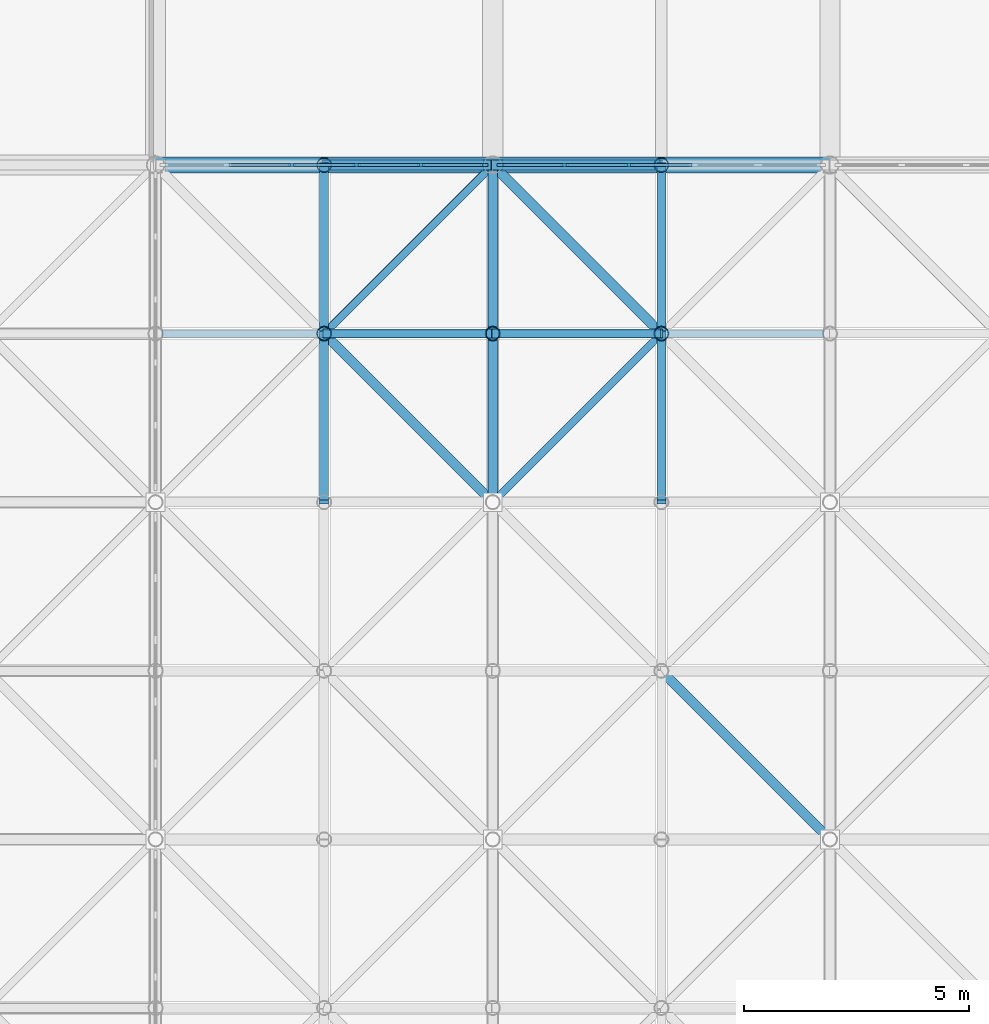
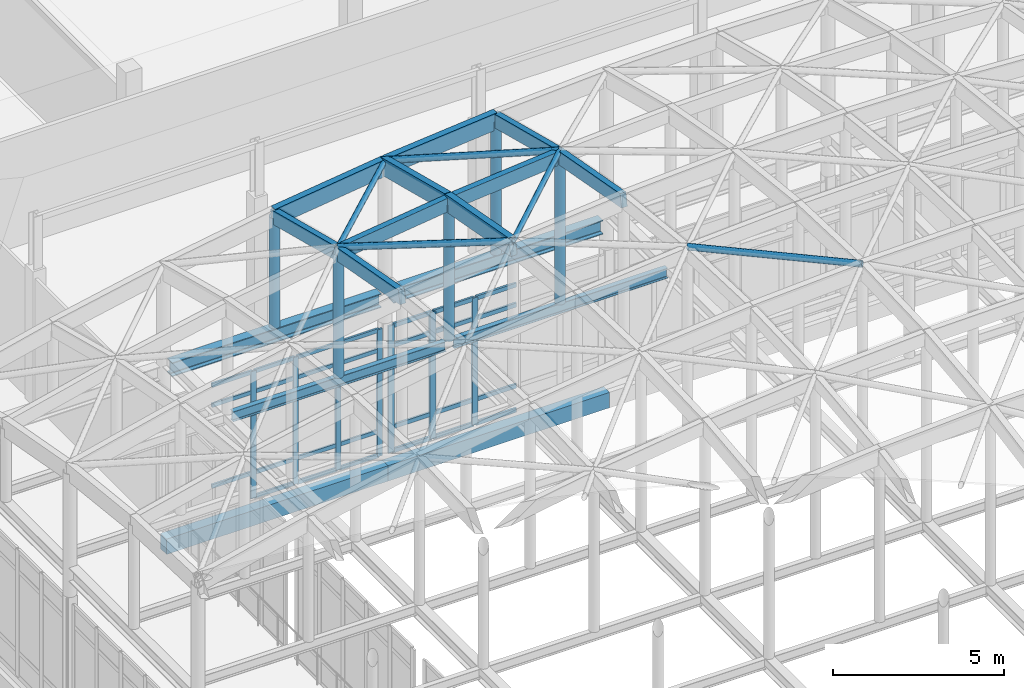
# One storey, part 39 of 131: 54 members, 6 beams, 2 elements without a shape of their own.
"""IFC4 building model written with IfcOpenShell, lengths in metres."""

from ifc_helpers import new_model, si_unit, direction, frame, origin, origin_2d, place, context, subcontext, project, spatial, rectangle, hollow_circle, i_section, extrude, material, layer, layer_set, material_profile, profile_set, type_object, element, aggregate, save


model = new_model("IFC4")

# Units and contexts
model_context = context("Model", 3, precision=1e-05, world=origin(), true_north=direction((0.0, 1.0)))
body_context = subcontext(model_context, "Body", "Model", "MODEL_VIEW")
ifc_project = project(units=[si_unit("LENGTHUNIT", "METRE"), si_unit("AREAUNIT", "SQUARE_METRE"), si_unit("VOLUMEUNIT", "CUBIC_METRE"), si_unit("PLANEANGLEUNIT", "RADIAN"), si_unit("MASSUNIT", "GRAM", prefix="KILO")], contexts=[model_context])

# Site, building, storey
site_placement = place(None, origin())
site = spatial("IfcSite", under=ifc_project, at=site_placement, CompositionType="ELEMENT")
building_placement = place(site_placement, origin())
building = spatial("IfcBuilding", under=site, at=building_placement, Name="Dalvernix Boulevard General Hospital", CompositionType="ELEMENT")
storey_placement = place(building_placement, frame((0.0, 0.0, 9.300048828125)))
storey = spatial("IfcBuildingStorey", under=building, at=storey_placement, Name="L02", CompositionType="ELEMENT", Elevation=9.300048828125)

# Beams
ifc_material_1 = material(Name="Steel S355", Category="steel")
ifc_material_profile_1 = material_profile(ifc_material_1, i_section(OverallWidth=0.300048828125, OverallDepth=0.5, WebThickness=0.014404296875, FlangeThickness=0.028076171875, FilletRadius=0.027099609375, at=origin_2d()), Name="HEB 500")
ifc_profile_set_1 = profile_set([ifc_material_profile_1], Name="Steel S355")
beam_type_1 = type_object("IfcBeamType", Name="BM-RB-02", PredefinedType="BEAM", material=ifc_profile_set_1)
for number, where, z_axis, x_axis, name in (
    (1, (67.7099609375, 61.5, 5.64990234375), (1.0, 0.0, 0.0), (0.0, 1.0, 0.0), "Gridshell Ring Beam N bay 2"),
    (2, (75.2099609375, 61.5, 5.64990234375), (1.0, 0.0, 0.0), (0.0, 1.0, 0.0), "Gridshell Ring Beam N bay 3"),
):
    element("IfcBeam", number, at=place(storey_placement, frame(where, z_axis=z_axis, x_axis=x_axis)), inside=storey, type_object=beam_type_1, Name=name, PredefinedType="BEAM", context=body_context, shape_type="SweptSolid", body=[
        extrude(i_section(OverallWidth=0.300048828125, OverallDepth=0.5, WebThickness=0.014404296875, FlangeThickness=0.028076171875, FilletRadius=0.027099609375, at=origin_2d()), origin(), (0.0, 0.0, 1.0), 7.080078125),
    ])
ifc_material_profile_2 = material_profile(ifc_material_1, i_section(OverallWidth=0.169921875, OverallDepth=0.360107421875, WebThickness=0.008056640625, FlangeThickness=0.0126953125, FilletRadius=0.01806640625, at=origin_2d()), Name="IPE 360")
ifc_profile_set_2 = profile_set([ifc_material_profile_2], Name="Steel S355")
beam_type_2 = type_object("IfcBeamType", Name="BM-RB-08", PredefinedType="BEAM", material=ifc_profile_set_2)
for number, where, z_axis, x_axis, name in (
    (3, (67.64208984375, 57.75, 6.219970703125), (1.0, 0.0, 0.0), (0.0, 1.0, 0.0), "ROOF TRUSS Gridshell cross tie 2-7"),
    (4, (75.14208984375, 57.75, 6.219970703125), (1.0, 0.0, 0.0), (0.0, 1.0, 0.0), "ROOF TRUSS Gridshell cross tie 4-7"),
):
    element("IfcBeam", number, at=place(storey_placement, frame(where, z_axis=z_axis, x_axis=x_axis)), inside=storey, type_object=beam_type_2, Name=name, PredefinedType="BEAM", context=body_context, shape_type="SweptSolid", body=[
        extrude(i_section(OverallWidth=0.169921875, OverallDepth=0.360107421875, WebThickness=0.008056640625, FlangeThickness=0.0126953125, FilletRadius=0.01806640625, at=origin_2d()), origin(), (0.0, 0.0, 1.0), 7.2158203125),
    ])
ifc_material_2 = material(Name="Concrete C35/45", Category="concrete")
ifc_material_profile_3 = material_profile(ifc_material_2, rectangle(XDim=0.35009765625, YDim=0.550048828125, at=origin_2d()), Name="RCB 350x550")
ifc_profile_set_3 = profile_set([ifc_material_profile_3], Name="Concrete C35/45")
beam_type_3 = type_object("IfcBeamType", Name="BM-SB-01-E", PredefinedType="SPANDREL", material=ifc_profile_set_3)
for number, where, z_axis, x_axis, name in (
    (5, (67.5, 61.5, -0.594970703125), (1.0, 0.0, 0.0), (0.0, 1.0, 0.0), "L02 E-W girder J:10-11"),
    (6, (75.0, 61.5, -0.594970703125), (1.0, 0.0, 0.0), (0.0, 1.0, 0.0), "L02 E-W girder J:11-12"),
):
    element("IfcBeam", number, at=place(storey_placement, frame(where, z_axis=z_axis, x_axis=x_axis)), inside=storey, type_object=beam_type_3, Name=name, PredefinedType="SPANDREL", context=body_context, shape_type="SweptSolid", body=[
        extrude(rectangle(XDim=0.35009765625, YDim=0.550048828125, at=origin_2d()), origin(), (0.0, 0.0, 1.0), 7.5),
    ])

# Curtain wall, members
ifc_material_3 = material(Name="Thermally broken aluminium and solar-control glass curtain wall", Category="aluminium")
ifc_layer_1 = layer(ifc_material_3, 0.179931640625)
ifc_layer_set_1 = layer_set([ifc_layer_1], Name="Thermally broken aluminium and solar-control glass curtain wall (CW-CW-B-72x46)")
curtain_wall_type_1 = type_object("IfcCurtainWallType", Name="CW-CW-B-72x46", PredefinedType="USERDEFINED", material=ifc_layer_set_1)
curtain_wall_1_placement = place(storey_placement, origin())
curtain_wall_1 = element("IfcCurtainWall", 7, at=curtain_wall_1_placement, inside=storey, type_object=curtain_wall_type_1, Name="L02 curtain wall CW-B-72x46 9-8", ObjectType="GLAZED FACADE", PredefinedType="USERDEFINED")
ifc_material_4 = material(Name="Aluminium EN AW-6060", Category="aluminium")
ifc_material_profile_4 = material_profile(ifc_material_4, rectangle(XDim=0.06494140625, YDim=0.179931640625, at=origin_2d()), Name="ALU MULL 65x180")
ifc_profile_set_4 = profile_set([ifc_material_profile_4], Name="Aluminium EN AW-6060")
member_type_1 = type_object("IfcMemberType", Name="MEM-CW-M2", PredefinedType="MULLION", material=ifc_profile_set_4)
member_1_placement = place(storey_placement, frame((74.8076171875, 61.5, 0.0), z_axis=(0.0, 0.0, 1.0), x_axis=(0.0, -1.0, 0.0)))
member_1 = element("IfcMember", 8, at=member_1_placement, type_object=member_type_1, Name="CW-B-72x46 mullion 1", PredefinedType="MULLION", context=body_context, shape_type="SweptSolid", body=[
    extrude(rectangle(XDim=0.06494140625, YDim=0.179931640625, at=origin_2d()), origin(), (0.0, 0.0, 1.0), 4.550048828125),
])
member_2_placement = place(storey_placement, frame((73.404052734375, 61.5, 0.0), z_axis=(0.0, 0.0, 1.0), x_axis=(0.0, -1.0, 0.0)))
member_2 = element("IfcMember", 9, at=member_2_placement, type_object=member_type_1, Name="CW-B-72x46 mullion 2", PredefinedType="MULLION", context=body_context, shape_type="SweptSolid", body=[
    extrude(rectangle(XDim=0.06494140625, YDim=0.179931640625, at=origin_2d()), origin(), (0.0, 0.0, 1.0), 4.550048828125),
])
member_3_placement = place(storey_placement, frame((71.968017578125, 61.5, 0.0), z_axis=(0.0, 0.0, 1.0), x_axis=(0.0, -1.0, 0.0)))
member_3 = element("IfcMember", 10, at=member_3_placement, type_object=member_type_1, Name="CW-B-72x46 mullion 3", PredefinedType="MULLION", context=body_context, shape_type="SweptSolid", body=[
    extrude(rectangle(XDim=0.06494140625, YDim=0.179931640625, at=origin_2d()), origin(), (0.0, 0.0, 1.0), 4.550048828125),
])
member_4_placement = place(storey_placement, frame((70.531982421875, 61.5, 0.0), z_axis=(0.0, 0.0, 1.0), x_axis=(0.0, -1.0, 0.0)))
member_4 = element("IfcMember", 11, at=member_4_placement, type_object=member_type_1, Name="CW-B-72x46 mullion 4", PredefinedType="MULLION", context=body_context, shape_type="SweptSolid", body=[
    extrude(rectangle(XDim=0.06494140625, YDim=0.179931640625, at=origin_2d()), origin(), (0.0, 0.0, 1.0), 4.550048828125),
])

ifc_layer_2 = layer(ifc_material_3, 0.199951171875)
ifc_layer_set_2 = layer_set([ifc_layer_2], Name="Thermally broken aluminium and solar-control glass curtain wall (CW-CW-C-72x46)")
curtain_wall_type_2 = type_object("IfcCurtainWallType", Name="CW-CW-C-72x46", PredefinedType="USERDEFINED", material=ifc_layer_set_2)
curtain_wall_2_placement = place(storey_placement, origin())
curtain_wall_2 = element("IfcCurtainWall", 12, at=curtain_wall_2_placement, inside=storey, type_object=curtain_wall_type_2, Name="L02 curtain wall CW-C-72x46 10-8", ObjectType="GLAZED FACADE", PredefinedType="USERDEFINED")
ifc_material_profile_5 = material_profile(ifc_material_4, rectangle(XDim=0.070068359375, YDim=0.199951171875, at=origin_2d()), Name="ALU MULL 70x200")
ifc_profile_set_5 = profile_set([ifc_material_profile_5], Name="Aluminium EN AW-6060")
member_type_2 = type_object("IfcMemberType", Name="MEM-CW-M3", PredefinedType="MULLION", material=ifc_profile_set_5)
member_5_placement = place(storey_placement, frame((78.031982421875, 61.5, 0.0), z_axis=(0.0, 0.0, 1.0), x_axis=(0.0, -1.0, 0.0)))
member_5 = element("IfcMember", 13, at=member_5_placement, type_object=member_type_2, Name="CW-C-72x46 mullion 4", PredefinedType="MULLION", context=body_context, shape_type="SweptSolid", body=[
    extrude(rectangle(XDim=0.070068359375, YDim=0.199951171875, at=origin_2d()), origin(), (0.0, 0.0, 1.0), 4.550048828125),
])
member_6_placement = place(storey_placement, frame((76.595947265625, 61.5, 0.0), z_axis=(0.0, 0.0, 1.0), x_axis=(0.0, -1.0, 0.0)))
member_6 = element("IfcMember", 14, at=member_6_placement, type_object=member_type_2, Name="CW-C-72x46 mullion 5", PredefinedType="MULLION", context=body_context, shape_type="SweptSolid", body=[
    extrude(rectangle(XDim=0.070068359375, YDim=0.199951171875, at=origin_2d()), origin(), (0.0, 0.0, 1.0), 4.550048828125),
])
member_7_placement = place(storey_placement, frame((75.195068359375, 61.5, 0.0), z_axis=(0.0, 0.0, 1.0), x_axis=(0.0, -1.0, 0.0)))
member_7 = element("IfcMember", 15, at=member_7_placement, type_object=member_type_2, Name="CW-C-72x46 mullion 6", PredefinedType="MULLION", context=body_context, shape_type="SweptSolid", body=[
    extrude(rectangle(XDim=0.070068359375, YDim=0.199951171875, at=origin_2d()), origin(), (0.0, 0.0, 1.0), 4.550048828125),
])

# Member
ifc_material_profile_6 = material_profile(ifc_material_4, rectangle(XDim=0.06494140625, YDim=0.139892578125, at=origin_2d()), Name="ALU TRAN 65x140")
ifc_profile_set_6 = profile_set([ifc_material_profile_6], Name="Aluminium EN AW-6060")
member_type_3 = type_object("IfcMemberType", Name="MEM-CW-T2", PredefinedType="USERDEFINED", material=ifc_profile_set_6)
member_8_placement = place(storey_placement, frame((74.77490234375, 61.5, 0.032470703125), z_axis=(-1.0, 0.0, 0.0), x_axis=(0.0, -1.0, 0.0)))
member_8 = element("IfcMember", 16, at=member_8_placement, type_object=member_type_3, Name="CW-B-72x46 transom 1.1", ObjectType="TRANSOM", PredefinedType="USERDEFINED", context=body_context, shape_type="SweptSolid", body=[
    extrude(rectangle(XDim=0.06494140625, YDim=0.139892578125, at=origin_2d()), origin(), (0.0, 0.0, 1.0), 1.33837890625),
])

member_9_placement = place(storey_placement, frame((74.77490234375, 61.5, 0.89990234375), z_axis=(-1.0, 0.0, 0.0), x_axis=(0.0, -1.0, 0.0)))
member_9 = element("IfcMember", 17, at=member_9_placement, type_object=member_type_3, Name="CW-B-72x46 transom 1.2", ObjectType="TRANSOM", PredefinedType="USERDEFINED", context=body_context, shape_type="SweptSolid", body=[
    extrude(rectangle(XDim=0.06494140625, YDim=0.139892578125, at=origin_2d()), origin(), (0.0, 0.0, 1.0), 1.33837890625),
])

member_10_placement = place(storey_placement, frame((74.77490234375, 61.5, 3.800048828125), z_axis=(-1.0, 0.0, 0.0), x_axis=(0.0, -1.0, 0.0)))
member_10 = element("IfcMember", 18, at=member_10_placement, type_object=member_type_3, Name="CW-B-72x46 transom 1.3", ObjectType="TRANSOM", PredefinedType="USERDEFINED", context=body_context, shape_type="SweptSolid", body=[
    extrude(rectangle(XDim=0.06494140625, YDim=0.139892578125, at=origin_2d()), origin(), (0.0, 0.0, 1.0), 1.33837890625),
])

member_11_placement = place(storey_placement, frame((74.77490234375, 61.5, 4.517333984375), z_axis=(-1.0, 0.0, 0.0), x_axis=(0.0, -1.0, 0.0)))
member_11 = element("IfcMember", 19, at=member_11_placement, type_object=member_type_3, Name="CW-B-72x46 transom 1.4", ObjectType="TRANSOM", PredefinedType="USERDEFINED", context=body_context, shape_type="SweptSolid", body=[
    extrude(rectangle(XDim=0.06494140625, YDim=0.139892578125, at=origin_2d()), origin(), (0.0, 0.0, 1.0), 1.33837890625),
])

member_12_placement = place(storey_placement, frame((73.37158203125, 61.5, 0.032470703125), z_axis=(-1.0, 0.0, 0.0), x_axis=(0.0, -1.0, 0.0)))
member_12 = element("IfcMember", 20, at=member_12_placement, type_object=member_type_3, Name="CW-B-72x46 transom 2.1", ObjectType="TRANSOM", PredefinedType="USERDEFINED", context=body_context, shape_type="SweptSolid", body=[
    extrude(rectangle(XDim=0.06494140625, YDim=0.139892578125, at=origin_2d()), origin(), (0.0, 0.0, 1.0), 1.37109375),
])

member_13_placement = place(storey_placement, frame((73.37158203125, 61.5, 0.89990234375), z_axis=(-1.0, 0.0, 0.0), x_axis=(0.0, -1.0, 0.0)))
member_13 = element("IfcMember", 21, at=member_13_placement, type_object=member_type_3, Name="CW-B-72x46 transom 2.2", ObjectType="TRANSOM", PredefinedType="USERDEFINED", context=body_context, shape_type="SweptSolid", body=[
    extrude(rectangle(XDim=0.06494140625, YDim=0.139892578125, at=origin_2d()), origin(), (0.0, 0.0, 1.0), 1.37109375),
])

member_14_placement = place(storey_placement, frame((73.37158203125, 61.5, 3.800048828125), z_axis=(-1.0, 0.0, 0.0), x_axis=(0.0, -1.0, 0.0)))
member_14 = element("IfcMember", 22, at=member_14_placement, type_object=member_type_3, Name="CW-B-72x46 transom 2.3", ObjectType="TRANSOM", PredefinedType="USERDEFINED", context=body_context, shape_type="SweptSolid", body=[
    extrude(rectangle(XDim=0.06494140625, YDim=0.139892578125, at=origin_2d()), origin(), (0.0, 0.0, 1.0), 1.37109375),
])

member_15_placement = place(storey_placement, frame((73.37158203125, 61.5, 4.517333984375), z_axis=(-1.0, 0.0, 0.0), x_axis=(0.0, -1.0, 0.0)))
member_15 = element("IfcMember", 23, at=member_15_placement, type_object=member_type_3, Name="CW-B-72x46 transom 2.4", ObjectType="TRANSOM", PredefinedType="USERDEFINED", context=body_context, shape_type="SweptSolid", body=[
    extrude(rectangle(XDim=0.06494140625, YDim=0.139892578125, at=origin_2d()), origin(), (0.0, 0.0, 1.0), 1.37109375),
])

member_16_placement = place(storey_placement, frame((71.935546875, 61.5, 0.032470703125), z_axis=(-1.0, 0.0, 0.0), x_axis=(0.0, -1.0, 0.0)))
member_16 = element("IfcMember", 24, at=member_16_placement, type_object=member_type_3, Name="CW-B-72x46 transom 3.1", ObjectType="TRANSOM", PredefinedType="USERDEFINED", context=body_context, shape_type="SweptSolid", body=[
    extrude(rectangle(XDim=0.06494140625, YDim=0.139892578125, at=origin_2d()), origin(), (0.0, 0.0, 1.0), 1.37109375),
])

member_17_placement = place(storey_placement, frame((71.935546875, 61.5, 0.89990234375), z_axis=(-1.0, 0.0, 0.0), x_axis=(0.0, -1.0, 0.0)))
member_17 = element("IfcMember", 25, at=member_17_placement, type_object=member_type_3, Name="CW-B-72x46 transom 3.2", ObjectType="TRANSOM", PredefinedType="USERDEFINED", context=body_context, shape_type="SweptSolid", body=[
    extrude(rectangle(XDim=0.06494140625, YDim=0.139892578125, at=origin_2d()), origin(), (0.0, 0.0, 1.0), 1.37109375),
])

member_18_placement = place(storey_placement, frame((71.935546875, 61.5, 3.800048828125), z_axis=(-1.0, 0.0, 0.0), x_axis=(0.0, -1.0, 0.0)))
member_18 = element("IfcMember", 26, at=member_18_placement, type_object=member_type_3, Name="CW-B-72x46 transom 3.3", ObjectType="TRANSOM", PredefinedType="USERDEFINED", context=body_context, shape_type="SweptSolid", body=[
    extrude(rectangle(XDim=0.06494140625, YDim=0.139892578125, at=origin_2d()), origin(), (0.0, 0.0, 1.0), 1.37109375),
])

member_19_placement = place(storey_placement, frame((71.935546875, 61.5, 4.517333984375), z_axis=(-1.0, 0.0, 0.0), x_axis=(0.0, -1.0, 0.0)))
member_19 = element("IfcMember", 27, at=member_19_placement, type_object=member_type_3, Name="CW-B-72x46 transom 3.4", ObjectType="TRANSOM", PredefinedType="USERDEFINED", context=body_context, shape_type="SweptSolid", body=[
    extrude(rectangle(XDim=0.06494140625, YDim=0.139892578125, at=origin_2d()), origin(), (0.0, 0.0, 1.0), 1.37109375),
])

member_20_placement = place(storey_placement, frame((70.49951171875, 61.5, 0.89990234375), z_axis=(-1.0, 0.0, 0.0), x_axis=(0.0, -1.0, 0.0)))
member_20 = element("IfcMember", 28, at=member_20_placement, type_object=member_type_3, Name="CW-B-72x46 transom 4.2", ObjectType="TRANSOM", PredefinedType="USERDEFINED", context=body_context, shape_type="SweptSolid", body=[
    extrude(rectangle(XDim=0.06494140625, YDim=0.139892578125, at=origin_2d()), origin(), (0.0, 0.0, 1.0), 1.37109375),
])

member_21_placement = place(storey_placement, frame((70.49951171875, 61.5, 3.800048828125), z_axis=(-1.0, 0.0, 0.0), x_axis=(0.0, -1.0, 0.0)))
member_21 = element("IfcMember", 29, at=member_21_placement, type_object=member_type_3, Name="CW-B-72x46 transom 4.3", ObjectType="TRANSOM", PredefinedType="USERDEFINED", context=body_context, shape_type="SweptSolid", body=[
    extrude(rectangle(XDim=0.06494140625, YDim=0.139892578125, at=origin_2d()), origin(), (0.0, 0.0, 1.0), 1.37109375),
])

member_22_placement = place(storey_placement, frame((70.49951171875, 61.5, 4.517333984375), z_axis=(-1.0, 0.0, 0.0), x_axis=(0.0, -1.0, 0.0)))
member_22 = element("IfcMember", 30, at=member_22_placement, type_object=member_type_3, Name="CW-B-72x46 transom 4.4", ObjectType="TRANSOM", PredefinedType="USERDEFINED", context=body_context, shape_type="SweptSolid", body=[
    extrude(rectangle(XDim=0.06494140625, YDim=0.139892578125, at=origin_2d()), origin(), (0.0, 0.0, 1.0), 1.37109375),
])

aggregate(curtain_wall_1, [member_1, member_2, member_3, member_4, member_8, member_9, member_10, member_11, member_12, member_13, member_14, member_15, member_16, member_17, member_18, member_19, member_20, member_21, member_22])

ifc_material_profile_7 = material_profile(ifc_material_4, rectangle(XDim=0.070068359375, YDim=0.14990234375, at=origin_2d()), Name="ALU TRAN 70x150")
ifc_profile_set_7 = profile_set([ifc_material_profile_7], Name="Aluminium EN AW-6060")
member_type_4 = type_object("IfcMemberType", Name="MEM-CW-T3", PredefinedType="USERDEFINED", material=ifc_profile_set_7)
member_23_placement = place(storey_placement, frame((79.43310546875, 61.5, 0.034912109375), z_axis=(-1.0, 0.0, 0.0), x_axis=(0.0, -1.0, 0.0)))
member_23 = element("IfcMember", 31, at=member_23_placement, type_object=member_type_4, Name="CW-C-72x46 transom 3.1", ObjectType="TRANSOM", PredefinedType="USERDEFINED", context=body_context, shape_type="SweptSolid", body=[
    extrude(rectangle(XDim=0.070068359375, YDim=0.14990234375, at=origin_2d()), origin(), (0.0, 0.0, 1.0), 1.3662109375),
])

member_24_placement = place(storey_placement, frame((79.43310546875, 61.5, 0.89990234375), z_axis=(-1.0, 0.0, 0.0), x_axis=(0.0, -1.0, 0.0)))
member_24 = element("IfcMember", 32, at=member_24_placement, type_object=member_type_4, Name="CW-C-72x46 transom 3.2", ObjectType="TRANSOM", PredefinedType="USERDEFINED", context=body_context, shape_type="SweptSolid", body=[
    extrude(rectangle(XDim=0.070068359375, YDim=0.14990234375, at=origin_2d()), origin(), (0.0, 0.0, 1.0), 1.3662109375),
])

member_25_placement = place(storey_placement, frame((79.43310546875, 61.5, 3.800048828125), z_axis=(-1.0, 0.0, 0.0), x_axis=(0.0, -1.0, 0.0)))
member_25 = element("IfcMember", 33, at=member_25_placement, type_object=member_type_4, Name="CW-C-72x46 transom 3.3", ObjectType="TRANSOM", PredefinedType="USERDEFINED", context=body_context, shape_type="SweptSolid", body=[
    extrude(rectangle(XDim=0.070068359375, YDim=0.14990234375, at=origin_2d()), origin(), (0.0, 0.0, 1.0), 1.3662109375),
])

member_26_placement = place(storey_placement, frame((79.43310546875, 61.5, 4.514892578125), z_axis=(-1.0, 0.0, 0.0), x_axis=(0.0, -1.0, 0.0)))
member_26 = element("IfcMember", 34, at=member_26_placement, type_object=member_type_4, Name="CW-C-72x46 transom 3.4", ObjectType="TRANSOM", PredefinedType="USERDEFINED", context=body_context, shape_type="SweptSolid", body=[
    extrude(rectangle(XDim=0.070068359375, YDim=0.14990234375, at=origin_2d()), origin(), (0.0, 0.0, 1.0), 1.3662109375),
])

member_27_placement = place(storey_placement, frame((77.9970703125, 61.5, 0.034912109375), z_axis=(-1.0, 0.0, 0.0), x_axis=(0.0, -1.0, 0.0)))
member_27 = element("IfcMember", 35, at=member_27_placement, type_object=member_type_4, Name="CW-C-72x46 transom 4.1", ObjectType="TRANSOM", PredefinedType="USERDEFINED", context=body_context, shape_type="SweptSolid", body=[
    extrude(rectangle(XDim=0.070068359375, YDim=0.14990234375, at=origin_2d()), origin(), (0.0, 0.0, 1.0), 1.365966796875),
])

member_28_placement = place(storey_placement, frame((77.9970703125, 61.5, 0.89990234375), z_axis=(-1.0, 0.0, 0.0), x_axis=(0.0, -1.0, 0.0)))
member_28 = element("IfcMember", 36, at=member_28_placement, type_object=member_type_4, Name="CW-C-72x46 transom 4.2", ObjectType="TRANSOM", PredefinedType="USERDEFINED", context=body_context, shape_type="SweptSolid", body=[
    extrude(rectangle(XDim=0.070068359375, YDim=0.14990234375, at=origin_2d()), origin(), (0.0, 0.0, 1.0), 1.365966796875),
])

member_29_placement = place(storey_placement, frame((77.9970703125, 61.5, 3.800048828125), z_axis=(-1.0, 0.0, 0.0), x_axis=(0.0, -1.0, 0.0)))
member_29 = element("IfcMember", 37, at=member_29_placement, type_object=member_type_4, Name="CW-C-72x46 transom 4.3", ObjectType="TRANSOM", PredefinedType="USERDEFINED", context=body_context, shape_type="SweptSolid", body=[
    extrude(rectangle(XDim=0.070068359375, YDim=0.14990234375, at=origin_2d()), origin(), (0.0, 0.0, 1.0), 1.365966796875),
])

member_30_placement = place(storey_placement, frame((77.9970703125, 61.5, 4.514892578125), z_axis=(-1.0, 0.0, 0.0), x_axis=(0.0, -1.0, 0.0)))
member_30 = element("IfcMember", 38, at=member_30_placement, type_object=member_type_4, Name="CW-C-72x46 transom 4.4", ObjectType="TRANSOM", PredefinedType="USERDEFINED", context=body_context, shape_type="SweptSolid", body=[
    extrude(rectangle(XDim=0.070068359375, YDim=0.14990234375, at=origin_2d()), origin(), (0.0, 0.0, 1.0), 1.365966796875),
])

member_31_placement = place(storey_placement, frame((76.56103515625, 61.5, 0.034912109375), z_axis=(-1.0, 0.0, 0.0), x_axis=(0.0, -1.0, 0.0)))
member_31 = element("IfcMember", 39, at=member_31_placement, type_object=member_type_4, Name="CW-C-72x46 transom 5.1", ObjectType="TRANSOM", PredefinedType="USERDEFINED", context=body_context, shape_type="SweptSolid", body=[
    extrude(rectangle(XDim=0.070068359375, YDim=0.14990234375, at=origin_2d()), origin(), (0.0, 0.0, 1.0), 1.3310546875),
])

member_32_placement = place(storey_placement, frame((76.56103515625, 61.5, 0.89990234375), z_axis=(-1.0, 0.0, 0.0), x_axis=(0.0, -1.0, 0.0)))
member_32 = element("IfcMember", 40, at=member_32_placement, type_object=member_type_4, Name="CW-C-72x46 transom 5.2", ObjectType="TRANSOM", PredefinedType="USERDEFINED", context=body_context, shape_type="SweptSolid", body=[
    extrude(rectangle(XDim=0.070068359375, YDim=0.14990234375, at=origin_2d()), origin(), (0.0, 0.0, 1.0), 1.3310546875),
])

member_33_placement = place(storey_placement, frame((76.56103515625, 61.5, 3.800048828125), z_axis=(-1.0, 0.0, 0.0), x_axis=(0.0, -1.0, 0.0)))
member_33 = element("IfcMember", 41, at=member_33_placement, type_object=member_type_4, Name="CW-C-72x46 transom 5.3", ObjectType="TRANSOM", PredefinedType="USERDEFINED", context=body_context, shape_type="SweptSolid", body=[
    extrude(rectangle(XDim=0.070068359375, YDim=0.14990234375, at=origin_2d()), origin(), (0.0, 0.0, 1.0), 1.3310546875),
])

member_34_placement = place(storey_placement, frame((76.56103515625, 61.5, 4.514892578125), z_axis=(-1.0, 0.0, 0.0), x_axis=(0.0, -1.0, 0.0)))
member_34 = element("IfcMember", 42, at=member_34_placement, type_object=member_type_4, Name="CW-C-72x46 transom 5.4", ObjectType="TRANSOM", PredefinedType="USERDEFINED", context=body_context, shape_type="SweptSolid", body=[
    extrude(rectangle(XDim=0.070068359375, YDim=0.14990234375, at=origin_2d()), origin(), (0.0, 0.0, 1.0), 1.3310546875),
])

aggregate(curtain_wall_2, [member_5, member_6, member_7, member_23, member_24, member_25, member_26, member_27, member_28, member_29, member_30, member_31, member_32, member_33, member_34])

# Members
ifc_material_5 = material(Name="Glulam GL28h", Category="wood")
ifc_material_profile_8 = material_profile(ifc_material_5, rectangle(XDim=0.219970703125, YDim=0.60009765625, at=origin_2d()), Name="GL28h 220x600")
ifc_profile_set_8 = profile_set([ifc_material_profile_8], Name="Glulam GL28h")
member_type_5 = type_object("IfcMemberType", Name="MEM-GS-C1", PredefinedType="CHORD", material=ifc_profile_set_8)
member_35_placement = place(storey_placement, frame((71.25, 61.5, 9.83984375), z_axis=(0.99171987465, 0.0, 0.128419975956), x_axis=(0.0, 1.0, 0.0)))
element("IfcMember", 43, at=member_35_placement, inside=storey, type_object=member_type_5, Name="ROOF TRUSS Gridshell E-W glulam rib 4-9", PredefinedType="CHORD", context=body_context, shape_type="SweptSolid", body=[
    extrude(rectangle(XDim=0.219970703125, YDim=0.60009765625, at=origin_2d()), origin(), (0.0, 0.0, 1.0), 3.78125),
])
member_36_placement = place(storey_placement, frame((75.0, 61.5, 10.325439453125), z_axis=(0.995747945021, 0.0, 0.092119650382), x_axis=(0.0, 1.0, 0.0)))
element("IfcMember", 44, at=member_36_placement, inside=storey, type_object=member_type_5, Name="ROOF TRUSS Gridshell E-W glulam rib 5-9", PredefinedType="CHORD", context=body_context, shape_type="SweptSolid", body=[
    extrude(rectangle(XDim=0.219970703125, YDim=0.60009765625, at=origin_2d()), origin(), (0.0, 0.0, 1.0), 3.76611328125),
])
member_37_placement = place(storey_placement, frame((75.0, 54.0, 11.975341796875), z_axis=(0.0, 0.983606557377, -0.180327868852), x_axis=(-1.0, 0.0, 0.0)))
element("IfcMember", 45, at=member_37_placement, inside=storey, type_object=member_type_5, Name="ROOF TRUSS Gridshell N-S glulam rib 5-7", PredefinedType="CHORD", context=body_context, shape_type="SweptSolid", body=[
    extrude(rectangle(XDim=0.219970703125, YDim=0.60009765625, at=origin_2d()), origin(), (0.0, 0.0, 1.0), 3.8125),
])
member_38_placement = place(storey_placement, frame((75.0, 57.75, 11.287841796875), z_axis=(0.0, 0.968610158303, -0.248584716408), x_axis=(-1.0, 0.0, 0.0)))
element("IfcMember", 46, at=member_38_placement, inside=storey, type_object=member_type_5, Name="ROOF TRUSS Gridshell N-S glulam rib 5-8", PredefinedType="CHORD", context=body_context, shape_type="SweptSolid", body=[
    extrude(rectangle(XDim=0.219970703125, YDim=0.60009765625, at=origin_2d()), origin(), (0.0, 0.0, 1.0), 3.87158203125),
])
ifc_material_profile_9 = material_profile(ifc_material_5, rectangle(XDim=0.199951171875, YDim=0.47998046875, at=origin_2d()), Name="GL28h 200x480")
ifc_profile_set_9 = profile_set([ifc_material_profile_9], Name="Glulam GL28h")
member_type_6 = type_object("IfcMemberType", Name="MEM-GS-C2", PredefinedType="CHORD", material=ifc_profile_set_9)
member_39_placement = place(storey_placement, frame((71.25, 57.75, 10.80224609375), z_axis=(0.99171987465, 0.0, 0.128419975956), x_axis=(0.0, 1.0, 0.0)))
element("IfcMember", 47, at=member_39_placement, inside=storey, type_object=member_type_6, Name="ROOF TRUSS Gridshell E-W glulam rib 4-8", PredefinedType="CHORD", context=body_context, shape_type="SweptSolid", body=[
    extrude(rectangle(XDim=0.199951171875, YDim=0.47998046875, at=origin_2d()), origin(), (0.0, 0.0, 1.0), 3.78125),
])
member_40_placement = place(storey_placement, frame((75.0, 57.75, 11.287841796875), z_axis=(0.995747945021, 0.0, 0.092119650382), x_axis=(0.0, 1.0, 0.0)))
element("IfcMember", 48, at=member_40_placement, inside=storey, type_object=member_type_6, Name="ROOF TRUSS Gridshell E-W glulam rib 5-8", PredefinedType="CHORD", context=body_context, shape_type="SweptSolid", body=[
    extrude(rectangle(XDim=0.199951171875, YDim=0.47998046875, at=origin_2d()), origin(), (0.0, 0.0, 1.0), 3.76611328125),
])
member_41_placement = place(storey_placement, frame((71.25, 54.0, 11.48974609375), z_axis=(0.0, 0.983606557377, -0.180327868852), x_axis=(-1.0, 0.0, 0.0)))
element("IfcMember", 49, at=member_41_placement, inside=storey, type_object=member_type_6, Name="ROOF TRUSS Gridshell N-S glulam rib 4-7", PredefinedType="CHORD", context=body_context, shape_type="SweptSolid", body=[
    extrude(rectangle(XDim=0.199951171875, YDim=0.47998046875, at=origin_2d()), origin(), (0.0, 0.0, 1.0), 3.8125),
])
member_42_placement = place(storey_placement, frame((71.25, 57.75, 10.80224609375), z_axis=(0.0, 0.968610158303, -0.248584716408), x_axis=(-1.0, 0.0, 0.0)))
element("IfcMember", 50, at=member_42_placement, inside=storey, type_object=member_type_6, Name="ROOF TRUSS Gridshell N-S glulam rib 4-8", PredefinedType="CHORD", context=body_context, shape_type="SweptSolid", body=[
    extrude(rectangle(XDim=0.199951171875, YDim=0.47998046875, at=origin_2d()), origin(), (0.0, 0.0, 1.0), 3.87158203125),
])
member_43_placement = place(storey_placement, frame((78.75, 54.0, 12.322265625), z_axis=(0.0, 0.983606557377, -0.180327868852), x_axis=(-1.0, 0.0, 0.0)))
element("IfcMember", 51, at=member_43_placement, inside=storey, type_object=member_type_6, Name="ROOF TRUSS Gridshell N-S glulam rib 6-7", PredefinedType="CHORD", context=body_context, shape_type="SweptSolid", body=[
    extrude(rectangle(XDim=0.199951171875, YDim=0.47998046875, at=origin_2d()), origin(), (0.0, 0.0, 1.0), 3.8125),
])
member_44_placement = place(storey_placement, frame((78.75, 57.75, 11.634765625), z_axis=(0.0, 0.968610158303, -0.248584716408), x_axis=(-1.0, 0.0, 0.0)))
element("IfcMember", 52, at=member_44_placement, inside=storey, type_object=member_type_6, Name="ROOF TRUSS Gridshell N-S glulam rib 6-8", PredefinedType="CHORD", context=body_context, shape_type="SweptSolid", body=[
    extrude(rectangle(XDim=0.199951171875, YDim=0.47998046875, at=origin_2d()), origin(), (0.0, 0.0, 1.0), 3.87158203125),
])
ifc_material_profile_10 = material_profile(ifc_material_1, hollow_circle(Radius=0.161865234375, WallThickness=0.012451171875, at=origin_2d()), Name="CHS 323.9x12.5")
ifc_profile_set_10 = profile_set([ifc_material_profile_10], Name="Steel S355")
member_type_7 = type_object("IfcMemberType", Name="MEM-GS-C3", PredefinedType="CHORD", material=ifc_profile_set_10)
member_45_placement = place(storey_placement, frame((71.25, 61.5, 5.89990234375), z_axis=(0.0, 0.0, 1.0), x_axis=(1.0, 0.0, 0.0)))
element("IfcMember", 53, at=member_45_placement, inside=storey, type_object=member_type_7, Name="Gridshell edge mullion 3-8", PredefinedType="CHORD", context=body_context, shape_type="SweptSolid", body=[
    extrude(hollow_circle(Radius=0.161865234375, WallThickness=0.012451171875, at=origin_2d()), origin(), (0.0, 0.0, 1.0), 3.93994140625),
])
member_46_placement = place(storey_placement, frame((78.75, 61.5, 5.89990234375), z_axis=(0.0, 0.0, 1.0), x_axis=(1.0, 0.0, 0.0)))
element("IfcMember", 54, at=member_46_placement, inside=storey, type_object=member_type_7, Name="Gridshell edge mullion 5-8", PredefinedType="CHORD", context=body_context, shape_type="SweptSolid", body=[
    extrude(hollow_circle(Radius=0.161865234375, WallThickness=0.012451171875, at=origin_2d()), origin(), (0.0, 0.0, 1.0), 4.7724609375),
])
member_47_placement = place(storey_placement, frame((71.25, 57.75, 6.39990234375), z_axis=(0.0, 0.0, 1.0), x_axis=(1.0, 0.0, 0.0)))
element("IfcMember", 55, at=member_47_placement, inside=storey, type_object=member_type_7, Name="ROOF TRUSS Gridshell arch queen post 3-7", PredefinedType="CHORD", context=body_context, shape_type="SweptSolid", body=[
    extrude(hollow_circle(Radius=0.161865234375, WallThickness=0.012451171875, at=origin_2d()), origin(), (0.0, 0.0, 1.0), 4.40234375),
])
member_48_placement = place(storey_placement, frame((75.0, 57.75, 6.39990234375), z_axis=(0.0, 0.0, 1.0), x_axis=(1.0, 0.0, 0.0)))
element("IfcMember", 56, at=member_48_placement, inside=storey, type_object=member_type_7, Name="ROOF TRUSS Gridshell arch queen post 4-7", PredefinedType="CHORD", context=body_context, shape_type="SweptSolid", body=[
    extrude(hollow_circle(Radius=0.161865234375, WallThickness=0.012451171875, at=origin_2d()), origin(), (0.0, 0.0, 1.0), 4.887939453125),
])
member_49_placement = place(storey_placement, frame((78.75, 57.75, 6.39990234375), z_axis=(0.0, 0.0, 1.0), x_axis=(1.0, 0.0, 0.0)))
element("IfcMember", 57, at=member_49_placement, inside=storey, type_object=member_type_7, Name="ROOF TRUSS Gridshell arch queen post 5-7", PredefinedType="CHORD", context=body_context, shape_type="SweptSolid", body=[
    extrude(hollow_circle(Radius=0.161865234375, WallThickness=0.012451171875, at=origin_2d()), origin(), (0.0, 0.0, 1.0), 5.23486328125),
])
ifc_material_profile_11 = material_profile(ifc_material_1, hollow_circle(Radius=0.084228515625, WallThickness=0.00634765625, at=origin_2d()), Name="CHS 168.3x6.3")
ifc_profile_set_11 = profile_set([ifc_material_profile_11], Name="Steel S355")
member_type_8 = type_object("IfcMemberType", Name="MEM-GSD-01", PredefinedType="BRACE", material=ifc_profile_set_11)
member_50_placement = place(storey_placement, frame((71.25, 57.75, 10.9921875), z_axis=(0.704266091131, 0.704266091131, -0.089546333072), x_axis=(-0.707106781187, 0.707106781187, 0.0)))
element("IfcMember", 58, at=member_50_placement, inside=storey, type_object=member_type_8, Name="ROOF TRUSS Gridshell diagrid tube 4-8", PredefinedType="BRACE", context=body_context, shape_type="SweptSolid", body=[
    extrude(hollow_circle(Radius=0.084228515625, WallThickness=0.00634765625, at=origin_2d()), origin(), (0.0, 0.0, 1.0), 5.32470703125),
])
member_51_placement = place(storey_placement, frame((75.0, 54.0, 12.16552734375), z_axis=(0.705653163492, 0.705653163492, -0.064087640825), x_axis=(-0.707106781187, 0.707106781187, 0.0)))
element("IfcMember", 59, at=member_51_placement, inside=storey, type_object=member_type_8, Name="ROOF TRUSS Gridshell diagrid tube 5-7", PredefinedType="BRACE", context=body_context, shape_type="SweptSolid", body=[
    extrude(hollow_circle(Radius=0.084228515625, WallThickness=0.00634765625, at=origin_2d()), origin(), (0.0, 0.0, 1.0), 5.314208984375),
])
ifc_material_profile_12 = material_profile(ifc_material_1, hollow_circle(Radius=0.109619140625, WallThickness=0.008056640625, at=origin_2d()), Name="CHS 219.1x8.0")
ifc_profile_set_12 = profile_set([ifc_material_profile_12], Name="Steel S355")
member_type_9 = type_object("IfcMemberType", Name="MEM-GSD-02", PredefinedType="BRACE", material=ifc_profile_set_12)
member_52_placement = place(storey_placement, frame((75.0, 54.0, 12.16552734375), z_axis=(-0.690410761728, 0.690410761728, -0.216023054744), x_axis=(-0.707106781187, -0.707106781187, 0.0)))
element("IfcMember", 60, at=member_52_placement, inside=storey, type_object=member_type_9, Name="ROOF TRUSS Gridshell diagrid tube 4-7", PredefinedType="BRACE", context=body_context, shape_type="SweptSolid", body=[
    extrude(hollow_circle(Radius=0.109619140625, WallThickness=0.008056640625, at=origin_2d()), origin(), (0.0, 0.0, 1.0), 5.431640625),
])
member_53_placement = place(storey_placement, frame((78.75, 57.75, 11.824951171875), z_axis=(-0.68648656875, 0.68648656875, -0.239733981431), x_axis=(-0.707106781187, -0.707106781187, 0.0)))
element("IfcMember", 61, at=member_53_placement, inside=storey, type_object=member_type_9, Name="ROOF TRUSS Gridshell diagrid tube 5-8", PredefinedType="BRACE", context=body_context, shape_type="SweptSolid", body=[
    extrude(hollow_circle(Radius=0.109619140625, WallThickness=0.008056640625, at=origin_2d()), origin(), (0.0, 0.0, 1.0), 5.462646484375),
])
member_54_placement = place(storey_placement, frame((82.5, 46.5, 13.2705078125), z_axis=(-0.705609209228, 0.705609209228, -0.065048348976), x_axis=(-0.707106781187, -0.707106781187, 0.0)))
element("IfcMember", 62, at=member_54_placement, inside=storey, type_object=member_type_9, Name="ROOF TRUSS Gridshell diagrid tube 6-5", PredefinedType="BRACE", context=body_context, shape_type="SweptSolid", body=[
    extrude(hollow_circle(Radius=0.109619140625, WallThickness=0.008056640625, at=origin_2d()), origin(), (0.0, 0.0, 1.0), 5.314453125),
])

save(model, "model.ifc")
